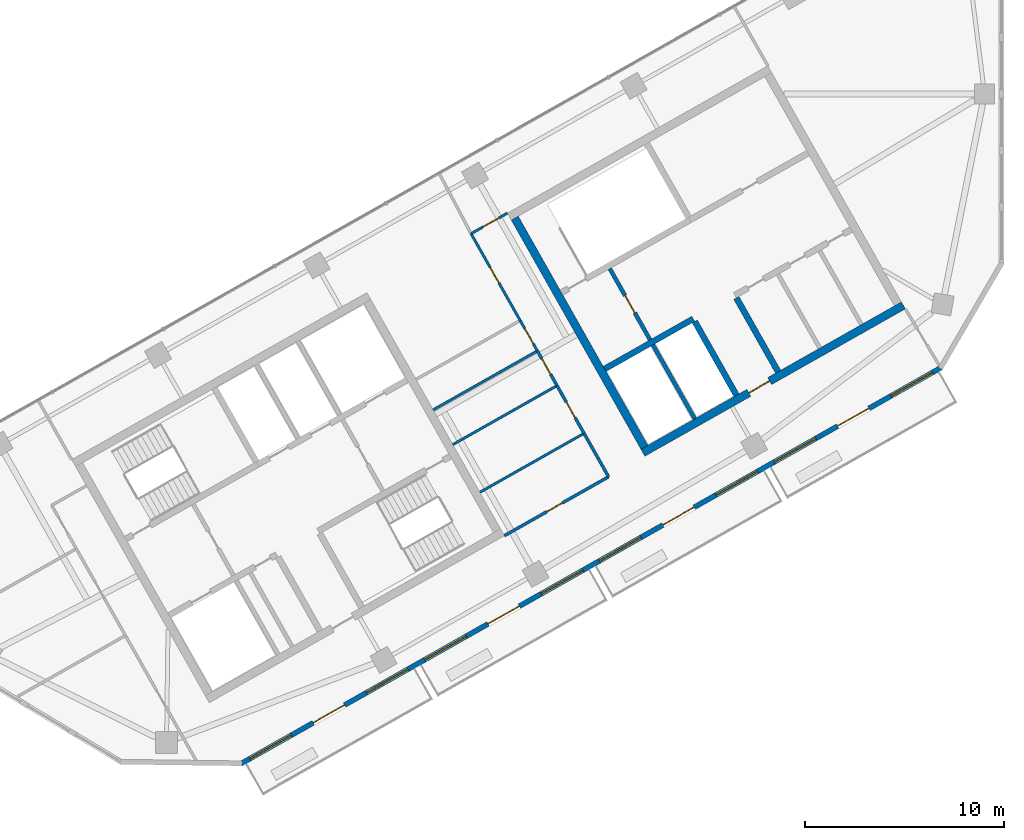
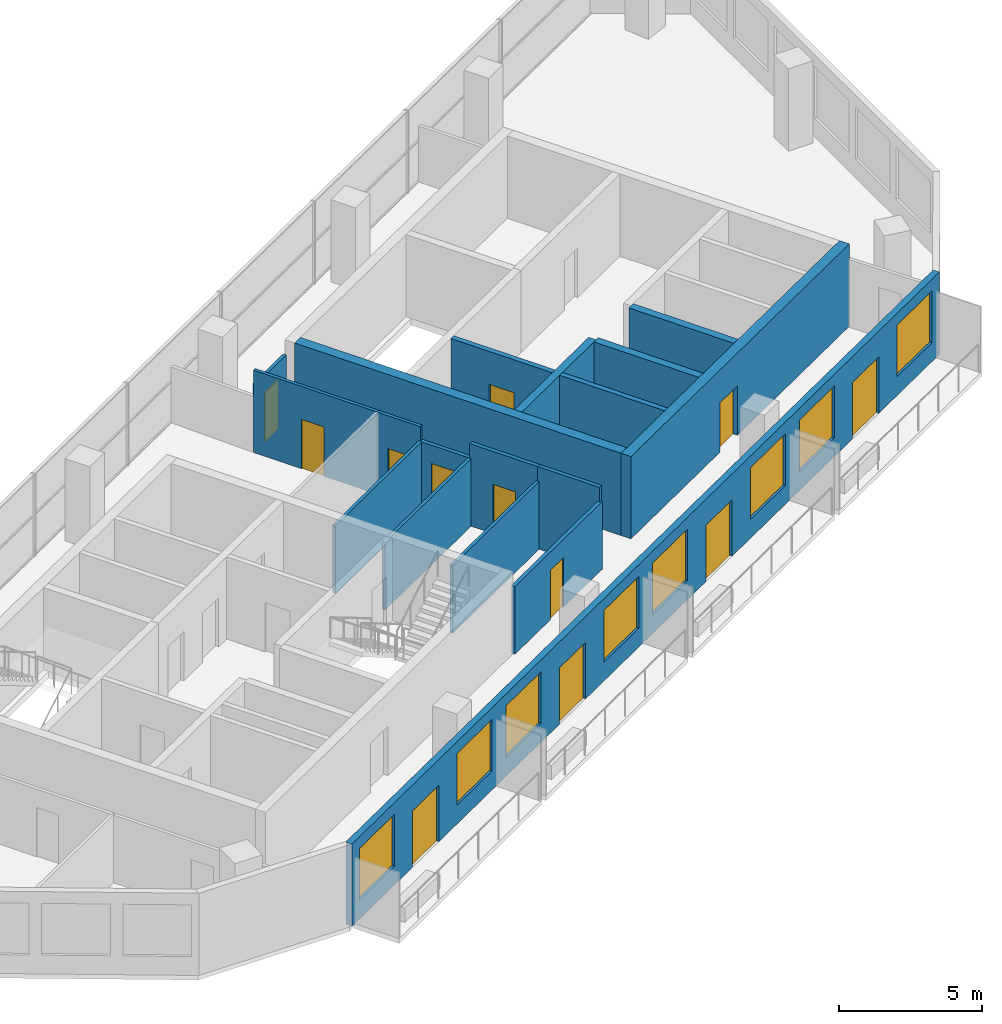
# One storey, part 7 of 10: 18 walls, 12 doors, 8 windows, 20 openings.
"""IFC4 building model written with IfcOpenShell, lengths in metres."""

from ifc_helpers import new_model, si_unit, direction, frame, frame_2d, origin, place, context, subcontext, project, spatial, rectangle, extrude, material, layer, layer_set, type_object, element, fill, save


model = new_model("IFC4")

# Units and contexts
model_context = context("Model", 3, precision=1e-05, world=origin(), true_north=direction((0.0, 1.0)))
body_context = subcontext(model_context, "Body", "Model", "MODEL_VIEW")
ifc_project = project(units=[si_unit("LENGTHUNIT", "METRE"), si_unit("AREAUNIT", "SQUARE_METRE"), si_unit("VOLUMEUNIT", "CUBIC_METRE"), si_unit("PLANEANGLEUNIT", "RADIAN"), si_unit("MASSUNIT", "GRAM", prefix="KILO")], contexts=[model_context])

# Site, building, storey
site_placement = place(None, origin())
site = spatial("IfcSite", under=ifc_project, at=site_placement, CompositionType="ELEMENT")
building_placement = place(site_placement, origin())
building = spatial("IfcBuilding", under=site, at=building_placement, Name="Binnacle Exchange Tower", CompositionType="ELEMENT")
storey_placement = place(building_placement, frame((0.0, 0.0, 343.10009765625)))
storey = spatial("IfcBuildingStorey", under=building, at=storey_placement, Name="L78", CompositionType="ELEMENT", Elevation=343.10009765625)

# Walls
ifc_material_1 = material(Name="Concrete C70/85", Category="concrete")
ifc_layer_1 = layer(ifc_material_1, 0.300048828125)
ifc_layer_set_1 = layer_set([ifc_layer_1], Name="Core wall - front 300")
wall_type_1 = type_object("IfcWallType", Name="Core wall - front 300", PredefinedType="SOLIDWALL", material=ifc_layer_set_1)
wall_1_placement = place(storey_placement, frame((-19.89208984375, 46.2177734375, 0.0), z_axis=(0.0, 0.0, 1.0), x_axis=(0.870341639186, 0.492448404505, 0.0)))
element("IfcWall", 1, at=wall_1_placement, inside=storey, type_object=wall_type_1, Name="Core wall CRWC2", PredefinedType="SOLIDWALL", context=body_context, shape_type="SweptSolid", body=[
    extrude(rectangle(XDim=5.099853515625, YDim=0.300048828125, at=frame_2d((2.5498046875, 0.0))), origin(), (0.0, 0.0, 1.0), 3.5),
])
wall_2_placement = place(storey_placement, frame((-15.37939453125, 48.5986328125, 0.0), z_axis=(0.0, 0.0, 1.0), x_axis=(0.492422543467, -0.870356271124, 0.0)))
element("IfcWall", 2, at=wall_2_placement, inside=storey, type_object=wall_type_1, Name="Core wall CRWC13", PredefinedType="SOLIDWALL", context=body_context, shape_type="SweptSolid", body=[
    extrude(rectangle(XDim=4.25, YDim=0.300048828125, at=frame_2d((2.125, 0.0))), origin(), (0.0, 0.0, 1.0), 3.5),
])
wall_3_placement = place(storey_placement, frame((-13.29052734375, 49.780517578125, 0.0), z_axis=(0.0, 0.0, 1.0), x_axis=(0.492397924348, -0.870370199454, 0.0)))
element("IfcWall", 3, at=wall_3_placement, inside=storey, type_object=wall_type_1, Name="Core wall CRWC15", PredefinedType="SOLIDWALL", context=body_context, shape_type="SweptSolid", body=[
    extrude(rectangle(XDim=4.250244140625, YDim=0.300048828125, at=frame_2d((2.125, 0.0))), origin(), (0.0, 0.0, 1.0), 3.5),
])

# Wall, opening, door
ifc_layer_2 = layer(ifc_material_1, 0.39990234375)
ifc_layer_set_2 = layer_set([ifc_layer_2], Name="Core wall - outer 400")
wall_type_2 = type_object("IfcWallType", Name="Core wall - outer 400", PredefinedType="SOLIDWALL", material=ifc_layer_set_2)
wall_4_placement = place(storey_placement, frame((-17.97509765625, 42.01708984375, 0.0), z_axis=(0.0, 0.0, 1.0), x_axis=(0.87034965173, 0.492434243055, 0.0)))
wall_4 = element("IfcWall", 4, at=wall_4_placement, inside=storey, type_object=wall_type_2, Name="Core wall CRWC1", PredefinedType="SOLIDWALL", context=body_context, shape_type="SweptSolid", body=[
    extrude(rectangle(XDim=15.0, YDim=0.39990234375, at=frame_2d((7.5, 0.0))), origin(), (0.0, 0.0, 1.0), 3.5),
])
opening_1_placement = place(wall_4_placement, frame((6.10009765625, 0.0, 0.0)))
opening_1 = element("IfcOpeningElement", 5, at=opening_1_placement, cuts=wall_4, Name="Opening DC7", PredefinedType="OPENING", context=body_context, shape_type="SweptSolid", body=[
    extrude(rectangle(XDim=1.199951171875, YDim=2.10009765625, at=frame_2d((0.60009765625, 1.050048828125))), frame((0.0, 0.2099609375, 0.0), z_axis=(0.0, -1.0, 0.0), x_axis=(1.0, 0.0, 0.0)), (0.0, 0.0, 1.0), 0.419921875),
])
ifc_material_2 = material(Name="Steel door leaf", Category="steel")
door_type_1 = type_object("IfcDoorType", Name="Fire door 1200", OperationType="NOTDEFINED", PredefinedType="DOOR", material=ifc_material_2)
door_1_placement = place(opening_1_placement, frame((1.199951171875, 0.0, 0.0), z_axis=(0.0, 0.0, 1.0), x_axis=(-1.0, 0.0, 0.0)))
door_1 = element("IfcDoor", 6, at=door_1_placement, inside=storey, type_object=door_type_1, Name="Lift lobby entrance door core C", OperationType="SINGLE_SWING_RIGHT", OverallHeight=2.10009765625, OverallWidth=1.199951171875, PredefinedType="DOOR", context=body_context, shape_type="SweptSolid", body=[
    extrude(rectangle(XDim=1.199951171875, YDim=2.10009765625, at=frame_2d((0.60009765625, 1.050048828125))), frame((0.0, 0.02490234375, 0.0), z_axis=(0.0, -1.0, 0.0), x_axis=(1.0, 0.0, 0.0)), (0.0, 0.0, 1.0), 0.050048828125),
])
fill(opening_1, door_1)

# Wall
wall_5_placement = place(storey_placement, frame((-24.399658203125, 53.778564453125, 0.0), z_axis=(0.0, 0.0, 1.0), x_axis=(0.492421663121, -0.870356769198, 0.0)))
element("IfcWall", 7, at=wall_5_placement, inside=storey, type_object=wall_type_2, Name="Core wall CRWC7", PredefinedType="SOLIDWALL", context=body_context, shape_type="SweptSolid", body=[
    extrude(rectangle(XDim=13.199951171875, YDim=0.39990234375, at=frame_2d((6.60009765625, 0.0))), origin(), (0.0, 0.0, 1.0), 3.5),
])

# Wall, openings, doors, windows
ifc_material_3 = material(Name="Bronze aluminium cladding", Category="aluminium")
ifc_layer_3 = layer(ifc_material_3, 0.25)
ifc_layer_set_3 = layer_set([ifc_layer_3], Name="External wall - window wall 250")
wall_type_3 = type_object("IfcWallType", Name="External wall - window wall 250", PredefinedType="STANDARD", material=ifc_layer_set_3)
wall_6_placement = place(storey_placement, frame((-3.016845703125, 46.293212890625, 0.0), z_axis=(0.0, 0.0, 1.0), x_axis=(-0.870355474887, -0.492423950812, 0.0)))
wall_6 = element("IfcWall", 8, at=wall_6_placement, inside=storey, type_object=wall_type_3, Name="External wall EW-H07 L78", PredefinedType="STANDARD", context=body_context, shape_type="SweptSolid", body=[
    extrude(rectangle(XDim=40.34033203125, YDim=0.25, at=frame_2d((20.170166015625, 0.0))), origin(), (0.0, 0.0, 1.0), 3.5),
])
opening_2_placement = place(wall_6_placement, frame((37.428466796875, 0.0, 0.800048828125)))
opening_2 = element("IfcOpeningElement", 9, at=opening_2_placement, cuts=wall_6, Name="Opening WR2", PredefinedType="OPENING", context=body_context, shape_type="SweptSolid", body=[
    extrude(rectangle(XDim=2.39990234375, YDim=2.199951171875, at=frame_2d((1.199951171875, 1.10009765625))), frame((0.0, 0.135009765625, 0.0), z_axis=(0.0, -1.0, 0.0), x_axis=(1.0, 0.0, 0.0)), (0.0, 0.0, 1.0), 0.27001953125),
])
opening_3_placement = place(wall_6_placement, frame((34.372314453125, 0.0, 0.0)))
opening_3 = element("IfcOpeningElement", 10, at=opening_3_placement, cuts=wall_6, Name="Opening D-FS22-01", PredefinedType="OPENING", context=body_context, shape_type="SweptSolid", body=[
    extrude(rectangle(XDim=1.800048828125, YDim=2.39990234375, at=frame_2d((0.89990234375, 1.199951171875))), frame((0.0, 0.135009765625, 0.0), z_axis=(0.0, -1.0, 0.0), x_axis=(1.0, 0.0, 0.0)), (0.0, 0.0, 1.0), 0.27001953125),
])
opening_4_placement = place(wall_6_placement, frame((30.71630859375, 0.0, 0.800048828125)))
opening_4 = element("IfcOpeningElement", 11, at=opening_4_placement, cuts=wall_6, Name="Opening WR2", PredefinedType="OPENING", context=body_context, shape_type="SweptSolid", body=[
    extrude(rectangle(XDim=2.39990234375, YDim=2.199951171875, at=frame_2d((1.199951171875, 1.10009765625))), frame((0.0, 0.135009765625, 0.0), z_axis=(0.0, -1.0, 0.0), x_axis=(1.0, 0.0, 0.0)), (0.0, 0.0, 1.0), 0.27001953125),
])
opening_5_placement = place(wall_6_placement, frame((27.3603515625, 0.0, 0.800048828125)))
opening_5 = element("IfcOpeningElement", 12, at=opening_5_placement, cuts=wall_6, Name="Opening WR2", PredefinedType="OPENING", context=body_context, shape_type="SweptSolid", body=[
    extrude(rectangle(XDim=2.39990234375, YDim=2.199951171875, at=frame_2d((1.199951171875, 1.10009765625))), frame((0.0, 0.135009765625, 0.0), z_axis=(0.0, -1.0, 0.0), x_axis=(1.0, 0.0, 0.0)), (0.0, 0.0, 1.0), 0.27001953125),
])
opening_6_placement = place(wall_6_placement, frame((24.30419921875, 0.0, 0.0)))
opening_6 = element("IfcOpeningElement", 13, at=opening_6_placement, cuts=wall_6, Name="Opening D-FS22-02", PredefinedType="OPENING", context=body_context, shape_type="SweptSolid", body=[
    extrude(rectangle(XDim=1.800048828125, YDim=2.39990234375, at=frame_2d((0.89990234375, 1.199951171875))), frame((0.0, 0.135009765625, 0.0), z_axis=(0.0, -1.0, 0.0), x_axis=(1.0, 0.0, 0.0)), (0.0, 0.0, 1.0), 0.27001953125),
])
opening_7_placement = place(wall_6_placement, frame((20.648193359375, 0.0, 0.800048828125)))
opening_7 = element("IfcOpeningElement", 14, at=opening_7_placement, cuts=wall_6, Name="Opening WR2", PredefinedType="OPENING", context=body_context, shape_type="SweptSolid", body=[
    extrude(rectangle(XDim=2.39990234375, YDim=2.199951171875, at=frame_2d((1.199951171875, 1.10009765625))), frame((0.0, 0.135009765625, 0.0), z_axis=(0.0, -1.0, 0.0), x_axis=(1.0, 0.0, 0.0)), (0.0, 0.0, 1.0), 0.27001953125),
])
opening_8_placement = place(wall_6_placement, frame((17.2919921875, 0.0, 0.800048828125)))
opening_8 = element("IfcOpeningElement", 15, at=opening_8_placement, cuts=wall_6, Name="Opening WR2", PredefinedType="OPENING", context=body_context, shape_type="SweptSolid", body=[
    extrude(rectangle(XDim=2.39990234375, YDim=2.199951171875, at=frame_2d((1.199951171875, 1.10009765625))), frame((0.0, 0.135009765625, 0.0), z_axis=(0.0, -1.0, 0.0), x_axis=(1.0, 0.0, 0.0)), (0.0, 0.0, 1.0), 0.27001953125),
])
opening_9_placement = place(wall_6_placement, frame((14.236083984375, 0.0, 0.0)))
opening_9 = element("IfcOpeningElement", 16, at=opening_9_placement, cuts=wall_6, Name="Opening D-FS22-03", PredefinedType="OPENING", context=body_context, shape_type="SweptSolid", body=[
    extrude(rectangle(XDim=1.800048828125, YDim=2.39990234375, at=frame_2d((0.89990234375, 1.199951171875))), frame((0.0, 0.135009765625, 0.0), z_axis=(0.0, -1.0, 0.0), x_axis=(1.0, 0.0, 0.0)), (0.0, 0.0, 1.0), 0.27001953125),
])
opening_10_placement = place(wall_6_placement, frame((10.580078125, 0.0, 0.800048828125)))
opening_10 = element("IfcOpeningElement", 17, at=opening_10_placement, cuts=wall_6, Name="Opening WR2", PredefinedType="OPENING", context=body_context, shape_type="SweptSolid", body=[
    extrude(rectangle(XDim=2.39990234375, YDim=2.199951171875, at=frame_2d((1.199951171875, 1.10009765625))), frame((0.0, 0.135009765625, 0.0), z_axis=(0.0, -1.0, 0.0), x_axis=(1.0, 0.0, 0.0)), (0.0, 0.0, 1.0), 0.27001953125),
])
opening_11_placement = place(wall_6_placement, frame((7.223876953125, 0.0, 0.800048828125)))
opening_11 = element("IfcOpeningElement", 18, at=opening_11_placement, cuts=wall_6, Name="Opening WR2", PredefinedType="OPENING", context=body_context, shape_type="SweptSolid", body=[
    extrude(rectangle(XDim=2.39990234375, YDim=2.199951171875, at=frame_2d((1.199951171875, 1.10009765625))), frame((0.0, 0.135009765625, 0.0), z_axis=(0.0, -1.0, 0.0), x_axis=(1.0, 0.0, 0.0)), (0.0, 0.0, 1.0), 0.27001953125),
])
opening_12_placement = place(wall_6_placement, frame((4.16796875, 0.0, 0.0)))
opening_12 = element("IfcOpeningElement", 19, at=opening_12_placement, cuts=wall_6, Name="Opening D-FS22-04", PredefinedType="OPENING", context=body_context, shape_type="SweptSolid", body=[
    extrude(rectangle(XDim=1.800048828125, YDim=2.39990234375, at=frame_2d((0.89990234375, 1.199951171875))), frame((0.0, 0.135009765625, 0.0), z_axis=(0.0, -1.0, 0.0), x_axis=(1.0, 0.0, 0.0)), (0.0, 0.0, 1.0), 0.27001953125),
])
opening_13_placement = place(wall_6_placement, frame((0.51171875, 0.0, 0.800048828125)))
opening_13 = element("IfcOpeningElement", 20, at=opening_13_placement, cuts=wall_6, Name="Opening WR2", PredefinedType="OPENING", context=body_context, shape_type="SweptSolid", body=[
    extrude(rectangle(XDim=2.39990234375, YDim=2.199951171875, at=frame_2d((1.199951171875, 1.10009765625))), frame((0.0, 0.135009765625, 0.0), z_axis=(0.0, -1.0, 0.0), x_axis=(1.0, 0.0, 0.0)), (0.0, 0.0, 1.0), 0.27001953125),
])
ifc_material_4 = material(Name="Bronze anodised aluminium frame", Category="aluminium")
door_type_2 = type_object("IfcDoorType", Name="DB DOOR 1800x2400", OperationType="DOUBLE_DOOR_SINGLE_SWING", PredefinedType="DOOR", material=ifc_material_4)
door_2_placement = place(opening_3_placement, origin())
door_2 = element("IfcDoor", 21, at=door_2_placement, inside=storey, type_object=door_type_2, Name="Door D-FS22-01 L78", OperationType="DOUBLE_DOOR_SINGLE_SWING", OverallHeight=2.39990234375, OverallWidth=1.800048828125, PredefinedType="DOOR", context=body_context, shape_type="SweptSolid", body=[
    extrude(rectangle(XDim=1.800048828125, YDim=2.39990234375, at=frame_2d((0.89990234375, 1.199951171875))), frame((0.0, 0.02490234375, 0.0), z_axis=(0.0, -1.0, 0.0), x_axis=(1.0, 0.0, 0.0)), (0.0, 0.0, 1.0), 0.050048828125),
])
fill(opening_3, door_2)
door_3_placement = place(opening_6_placement, origin())
door_3 = element("IfcDoor", 22, at=door_3_placement, inside=storey, type_object=door_type_2, Name="Door D-FS22-02 L78", OperationType="DOUBLE_DOOR_SINGLE_SWING", OverallHeight=2.39990234375, OverallWidth=1.800048828125, PredefinedType="DOOR", context=body_context, shape_type="SweptSolid", body=[
    extrude(rectangle(XDim=1.800048828125, YDim=2.39990234375, at=frame_2d((0.89990234375, 1.199951171875))), frame((0.0, 0.02490234375, 0.0), z_axis=(0.0, -1.0, 0.0), x_axis=(1.0, 0.0, 0.0)), (0.0, 0.0, 1.0), 0.050048828125),
])
fill(opening_6, door_3)
door_4_placement = place(opening_9_placement, origin())
door_4 = element("IfcDoor", 23, at=door_4_placement, inside=storey, type_object=door_type_2, Name="Door D-FS22-03 L78", OperationType="DOUBLE_DOOR_SINGLE_SWING", OverallHeight=2.39990234375, OverallWidth=1.800048828125, PredefinedType="DOOR", context=body_context, shape_type="SweptSolid", body=[
    extrude(rectangle(XDim=1.800048828125, YDim=2.39990234375, at=frame_2d((0.89990234375, 1.199951171875))), frame((0.0, 0.02490234375, 0.0), z_axis=(0.0, -1.0, 0.0), x_axis=(1.0, 0.0, 0.0)), (0.0, 0.0, 1.0), 0.050048828125),
])
fill(opening_9, door_4)
door_5_placement = place(opening_12_placement, origin())
door_5 = element("IfcDoor", 24, at=door_5_placement, inside=storey, type_object=door_type_2, Name="Door D-FS22-04 L78", OperationType="DOUBLE_DOOR_SINGLE_SWING", OverallHeight=2.39990234375, OverallWidth=1.800048828125, PredefinedType="DOOR", context=body_context, shape_type="SweptSolid", body=[
    extrude(rectangle(XDim=1.800048828125, YDim=2.39990234375, at=frame_2d((0.89990234375, 1.199951171875))), frame((0.0, 0.02490234375, 0.0), z_axis=(0.0, -1.0, 0.0), x_axis=(1.0, 0.0, 0.0)), (0.0, 0.0, 1.0), 0.050048828125),
])
fill(opening_12, door_5)
window_type = type_object("IfcWindowType", Name="WR2 WINDOW 2400x2200", PartitioningType="SINGLE_PANEL", PredefinedType="WINDOW", material=ifc_material_4)
window_1_placement = place(opening_2_placement, origin())
window_1 = element("IfcWindow", 25, at=window_1_placement, inside=storey, type_object=window_type, Name="Window WR2 L78", OverallHeight=2.199951171875, OverallWidth=2.39990234375, PartitioningType="SINGLE_PANEL", PredefinedType="WINDOW", context=body_context, shape_type="SweptSolid", body=[
    extrude(rectangle(XDim=2.39990234375, YDim=2.199951171875, at=frame_2d((1.199951171875, 1.10009765625))), frame((0.0, 0.030029296875, 0.0), z_axis=(0.0, -1.0, 0.0), x_axis=(1.0, 0.0, 0.0)), (0.0, 0.0, 1.0), 0.06005859375),
])
fill(opening_2, window_1)
window_2_placement = place(opening_4_placement, origin())
window_2 = element("IfcWindow", 26, at=window_2_placement, inside=storey, type_object=window_type, Name="Window WR2 L78", OverallHeight=2.199951171875, OverallWidth=2.39990234375, PartitioningType="SINGLE_PANEL", PredefinedType="WINDOW", context=body_context, shape_type="SweptSolid", body=[
    extrude(rectangle(XDim=2.39990234375, YDim=2.199951171875, at=frame_2d((1.199951171875, 1.10009765625))), frame((0.0, 0.030029296875, 0.0), z_axis=(0.0, -1.0, 0.0), x_axis=(1.0, 0.0, 0.0)), (0.0, 0.0, 1.0), 0.06005859375),
])
fill(opening_4, window_2)
window_3_placement = place(opening_5_placement, origin())
window_3 = element("IfcWindow", 27, at=window_3_placement, inside=storey, type_object=window_type, Name="Window WR2 L78", OverallHeight=2.199951171875, OverallWidth=2.39990234375, PartitioningType="SINGLE_PANEL", PredefinedType="WINDOW", context=body_context, shape_type="SweptSolid", body=[
    extrude(rectangle(XDim=2.39990234375, YDim=2.199951171875, at=frame_2d((1.199951171875, 1.10009765625))), frame((0.0, 0.030029296875, 0.0), z_axis=(0.0, -1.0, 0.0), x_axis=(1.0, 0.0, 0.0)), (0.0, 0.0, 1.0), 0.06005859375),
])
fill(opening_5, window_3)
window_4_placement = place(opening_7_placement, origin())
window_4 = element("IfcWindow", 28, at=window_4_placement, inside=storey, type_object=window_type, Name="Window WR2 L78", OverallHeight=2.199951171875, OverallWidth=2.39990234375, PartitioningType="SINGLE_PANEL", PredefinedType="WINDOW", context=body_context, shape_type="SweptSolid", body=[
    extrude(rectangle(XDim=2.39990234375, YDim=2.199951171875, at=frame_2d((1.199951171875, 1.10009765625))), frame((0.0, 0.030029296875, 0.0), z_axis=(0.0, -1.0, 0.0), x_axis=(1.0, 0.0, 0.0)), (0.0, 0.0, 1.0), 0.06005859375),
])
fill(opening_7, window_4)
window_5_placement = place(opening_8_placement, origin())
window_5 = element("IfcWindow", 29, at=window_5_placement, inside=storey, type_object=window_type, Name="Window WR2 L78", OverallHeight=2.199951171875, OverallWidth=2.39990234375, PartitioningType="SINGLE_PANEL", PredefinedType="WINDOW", context=body_context, shape_type="SweptSolid", body=[
    extrude(rectangle(XDim=2.39990234375, YDim=2.199951171875, at=frame_2d((1.199951171875, 1.10009765625))), frame((0.0, 0.030029296875, 0.0), z_axis=(0.0, -1.0, 0.0), x_axis=(1.0, 0.0, 0.0)), (0.0, 0.0, 1.0), 0.06005859375),
])
fill(opening_8, window_5)
window_6_placement = place(opening_10_placement, origin())
window_6 = element("IfcWindow", 30, at=window_6_placement, inside=storey, type_object=window_type, Name="Window WR2 L78", OverallHeight=2.199951171875, OverallWidth=2.39990234375, PartitioningType="SINGLE_PANEL", PredefinedType="WINDOW", context=body_context, shape_type="SweptSolid", body=[
    extrude(rectangle(XDim=2.39990234375, YDim=2.199951171875, at=frame_2d((1.199951171875, 1.10009765625))), frame((0.0, 0.030029296875, 0.0), z_axis=(0.0, -1.0, 0.0), x_axis=(1.0, 0.0, 0.0)), (0.0, 0.0, 1.0), 0.06005859375),
])
fill(opening_10, window_6)
window_7_placement = place(opening_11_placement, origin())
window_7 = element("IfcWindow", 31, at=window_7_placement, inside=storey, type_object=window_type, Name="Window WR2 L78", OverallHeight=2.199951171875, OverallWidth=2.39990234375, PartitioningType="SINGLE_PANEL", PredefinedType="WINDOW", context=body_context, shape_type="SweptSolid", body=[
    extrude(rectangle(XDim=2.39990234375, YDim=2.199951171875, at=frame_2d((1.199951171875, 1.10009765625))), frame((0.0, 0.030029296875, 0.0), z_axis=(0.0, -1.0, 0.0), x_axis=(1.0, 0.0, 0.0)), (0.0, 0.0, 1.0), 0.06005859375),
])
fill(opening_11, window_7)
window_8_placement = place(opening_13_placement, origin())
window_8 = element("IfcWindow", 32, at=window_8_placement, inside=storey, type_object=window_type, Name="Window WR2 L78", OverallHeight=2.199951171875, OverallWidth=2.39990234375, PartitioningType="SINGLE_PANEL", PredefinedType="WINDOW", context=body_context, shape_type="SweptSolid", body=[
    extrude(rectangle(XDim=2.39990234375, YDim=2.199951171875, at=frame_2d((1.199951171875, 1.10009765625))), frame((0.0, 0.030029296875, 0.0), z_axis=(0.0, -1.0, 0.0), x_axis=(1.0, 0.0, 0.0)), (0.0, 0.0, 1.0), 0.06005859375),
])
fill(opening_13, window_8)

# Wall, opening, door
ifc_material_5 = material(Name="Masonry block wall", Category="masonry")
ifc_layer_4 = layer(ifc_material_5, 0.199951171875)
ifc_layer_set_4 = layer_set([ifc_layer_4], Name="Fire wall - vestibule 200")
wall_type_4 = type_object("IfcWallType", Name="Fire wall - vestibule 200", PredefinedType="PARTITIONING", material=ifc_layer_set_4)
wall_7_placement = place(storey_placement, frame((-19.635009765625, 51.246337890625, 0.0), z_axis=(0.0, 0.0, 1.0), x_axis=(0.492408451753, -0.87036424366, 0.0)))
wall_7 = element("IfcWall", 33, at=wall_7_placement, inside=storey, type_object=wall_type_4, Name="Core wall CRWC10", PredefinedType="PARTITIONING", context=body_context, shape_type="SweptSolid", body=[
    extrude(rectangle(XDim=4.099853515625, YDim=0.199951171875, at=frame_2d((2.0498046875, 0.0))), origin(), (0.0, 0.0, 1.0), 3.5),
])
opening_14_placement = place(wall_7_placement, frame((1.550048828125, 0.0, 0.0)))
opening_14 = element("IfcOpeningElement", 34, at=opening_14_placement, cuts=wall_7, Name="Opening DC3", PredefinedType="OPENING", context=body_context, shape_type="SweptSolid", body=[
    extrude(rectangle(XDim=1.0, YDim=2.10009765625, at=frame_2d((0.5, 1.050048828125))), frame((0.0, 0.10986328125, 0.0), z_axis=(0.0, -1.0, 0.0), x_axis=(1.0, 0.0, 0.0)), (0.0, 0.0, 1.0), 0.219970703125),
])
door_type_3 = type_object("IfcDoorType", Name="Fire door 1000", OperationType="NOTDEFINED", PredefinedType="DOOR", material=ifc_material_2)
door_6_placement = place(opening_14_placement, frame((1.0, 0.0, 0.0), z_axis=(0.0, 0.0, 1.0), x_axis=(-1.0, 0.0, 0.0)))
door_6 = element("IfcDoor", 35, at=door_6_placement, inside=storey, type_object=door_type_3, Name="Vestibule door VEST-W", OperationType="SINGLE_SWING_RIGHT", OverallHeight=2.10009765625, OverallWidth=1.0, PredefinedType="DOOR", context=body_context, shape_type="SweptSolid", body=[
    extrude(rectangle(XDim=1.0, YDim=2.10009765625, at=frame_2d((0.5, 1.050048828125))), frame((0.0, 0.02490234375, 0.0), z_axis=(0.0, -1.0, 0.0), x_axis=(1.0, 0.0, 0.0)), (0.0, 0.0, 1.0), 0.050048828125),
])
fill(opening_14, door_6)

ifc_material_6 = material(Name="Gypsum partition fire rated")
ifc_layer_5 = layer(ifc_material_6, 0.14990234375)
ifc_layer_set_5 = layer_set([ifc_layer_5], Name="Fire-rated partition 150")
wall_type_5 = type_object("IfcWallType", Name="Fire-rated partition 150", PredefinedType="PARTITIONING", material=ifc_layer_set_5)
wall_8_placement = place(storey_placement, frame((-24.9189453125, 37.85888671875, 0.0), z_axis=(0.0, 0.0, 1.0), x_axis=(0.870308850352, 0.492506350211, 0.0)))
wall_8 = element("IfcWall", 36, at=wall_8_placement, inside=storey, type_object=wall_type_5, Name="Partition W15", PredefinedType="PARTITIONING", context=body_context, shape_type="SweptSolid", body=[
    extrude(rectangle(XDim=6.0, YDim=0.14990234375, at=frame_2d((3.0, 0.0))), origin(), (0.0, 0.0, 1.0), 2.8798828125),
])
opening_15_placement = place(wall_8_placement, frame((2.449951171875, 0.0, 0.0)))
opening_15 = element("IfcOpeningElement", 37, at=opening_15_placement, cuts=wall_8, Name="Opening DL77-01", PredefinedType="OPENING", context=body_context, shape_type="SweptSolid", body=[
    extrude(rectangle(XDim=0.89990234375, YDim=2.10009765625, at=frame_2d((0.449951171875, 1.050048828125))), frame((0.0, 0.0849609375, 0.0), z_axis=(0.0, -1.0, 0.0), x_axis=(1.0, 0.0, 0.0)), (0.0, 0.0, 1.0), 0.169921875),
])
door_type_4 = type_object("IfcDoorType", Name="Fire door 900", OperationType="NOTDEFINED", PredefinedType="DOOR", material=ifc_material_2)
door_7_placement = place(opening_15_placement, origin())
door_7 = element("IfcDoor", 38, at=door_7_placement, inside=storey, type_object=door_type_4, Name="Door DL77-01", OperationType="SINGLE_SWING_LEFT", OverallHeight=2.10009765625, OverallWidth=0.89990234375, PredefinedType="DOOR", context=body_context, shape_type="SweptSolid", body=[
    extrude(rectangle(XDim=0.89990234375, YDim=2.10009765625, at=frame_2d((0.449951171875, 1.050048828125))), frame((0.0, 0.02490234375, 0.0), z_axis=(0.0, -1.0, 0.0), x_axis=(1.0, 0.0, 0.0)), (0.0, 0.0, 1.0), 0.050048828125),
])
fill(opening_15, door_7)

wall_9_placement = place(storey_placement, frame((-23.26708984375, 47.1240234375, 0.0), z_axis=(0.0, 0.0, 1.0), x_axis=(0.492467412326, -0.870330884088, 0.0)))
wall_9 = element("IfcWall", 39, at=wall_9_placement, inside=storey, type_object=wall_type_5, Name="Partition W17", PredefinedType="PARTITIONING", context=body_context, shape_type="SweptSolid", body=[
    extrude(rectangle(XDim=2.000244140625, YDim=0.14990234375, at=frame_2d((1.0, 0.0))), origin(), (0.0, 0.0, 1.0), 2.8798828125),
])
opening_16_placement = place(wall_9_placement, frame((0.449951171875, 0.0, 0.0)))
opening_16 = element("IfcOpeningElement", 40, at=opening_16_placement, cuts=wall_9, Name="Opening DL77-03", PredefinedType="OPENING", context=body_context, shape_type="SweptSolid", body=[
    extrude(rectangle(XDim=0.89990234375, YDim=2.10009765625, at=frame_2d((0.449951171875, 1.050048828125))), frame((0.0, 0.0849609375, 0.0), z_axis=(0.0, -1.0, 0.0), x_axis=(1.0, 0.0, 0.0)), (0.0, 0.0, 1.0), 0.169921875),
])
door_8_placement = place(opening_16_placement, frame((0.89990234375, 0.0, 0.0), z_axis=(0.0, 0.0, 1.0), x_axis=(-1.0, 0.0, 0.0)))
door_8 = element("IfcDoor", 41, at=door_8_placement, inside=storey, type_object=door_type_4, Name="Door DL77-03", OperationType="SINGLE_SWING_RIGHT", OverallHeight=2.10009765625, OverallWidth=0.89990234375, PredefinedType="DOOR", context=body_context, shape_type="SweptSolid", body=[
    extrude(rectangle(XDim=0.89990234375, YDim=2.10009765625, at=frame_2d((0.449951171875, 1.050048828125))), frame((0.0, 0.02490234375, 0.0), z_axis=(0.0, -1.0, 0.0), x_axis=(1.0, 0.0, 0.0)), (0.0, 0.0, 1.0), 0.050048828125),
])
fill(opening_16, door_8)

wall_10_placement = place(storey_placement, frame((-22.281982421875, 45.383056640625, 0.0), z_axis=(0.0, 0.0, 1.0), x_axis=(0.492560173591, -0.870278389592, 0.0)))
wall_10 = element("IfcWall", 42, at=wall_10_placement, inside=storey, type_object=wall_type_5, Name="Partition W18", PredefinedType="PARTITIONING", context=body_context, shape_type="SweptSolid", body=[
    extrude(rectangle(XDim=2.7509765625, YDim=0.14990234375, at=frame_2d((1.37548828125, 0.0))), origin(), (0.0, 0.0, 1.0), 3.5),
])
opening_17_placement = place(wall_10_placement, frame((0.949951171875, 0.0, 0.0)))
opening_17 = element("IfcOpeningElement", 43, at=opening_17_placement, cuts=wall_10, Name="Opening DL77-02", PredefinedType="OPENING", context=body_context, shape_type="SweptSolid", body=[
    extrude(rectangle(XDim=0.89990234375, YDim=2.10009765625, at=frame_2d((0.449951171875, 1.050048828125))), frame((0.0, 0.0849609375, 0.0), z_axis=(0.0, -1.0, 0.0), x_axis=(1.0, 0.0, 0.0)), (0.0, 0.0, 1.0), 0.169921875),
])
door_9_placement = place(opening_17_placement, frame((0.89990234375, 0.0, 0.0), z_axis=(0.0, 0.0, 1.0), x_axis=(-1.0, 0.0, 0.0)))
door_9 = element("IfcDoor", 44, at=door_9_placement, inside=storey, type_object=door_type_4, Name="Door DL77-02", OperationType="SINGLE_SWING_LEFT", OverallHeight=2.10009765625, OverallWidth=0.89990234375, PredefinedType="DOOR", context=body_context, shape_type="SweptSolid", body=[
    extrude(rectangle(XDim=0.89990234375, YDim=2.10009765625, at=frame_2d((0.449951171875, 1.050048828125))), frame((0.0, 0.02490234375, 0.0), z_axis=(0.0, -1.0, 0.0), x_axis=(1.0, 0.0, 0.0)), (0.0, 0.0, 1.0), 0.050048828125),
])
fill(opening_17, door_9)

# Walls
wall_11_placement = place(storey_placement, frame((-20.927001953125, 42.989013671875, 0.0), z_axis=(0.0, 0.0, 1.0), x_axis=(0.492240758669, -0.870459094677, 0.0)))
element("IfcWall", 45, at=wall_11_placement, inside=storey, type_object=wall_type_5, Name="Partition W19", PredefinedType="PARTITIONING", context=body_context, shape_type="SweptSolid", body=[
    extrude(rectangle(XDim=2.498779296875, YDim=0.14990234375, at=frame_2d((1.24951171875, 0.0))), origin(), (0.0, 0.0, 1.0), 3.5),
])
ifc_material_7 = material(Name="Gypsum partition")
ifc_layer_6 = layer(ifc_material_7, 0.125)
ifc_layer_set_6 = layer_set([ifc_layer_6], Name="Partition 125")
wall_type_6 = type_object("IfcWallType", Name="Partition 125", PredefinedType="PARTITIONING", material=ifc_layer_set_6)
for number, where, z_axis, x_axis, name in (
    (46, (-28.489013671875, 44.1689453125, 0.0), (0.0, 0.0, 1.0), (0.870308850352, 0.492506350211, 0.0), "Partition W09"),
    (47, (-27.50390625, 42.427978515625, 0.0), (0.0, 0.0, 1.0), (0.870308850352, 0.492506350211, 0.0), "Partition W11"),
):
    element("IfcWall", number, at=place(storey_placement, frame(where, z_axis=z_axis, x_axis=x_axis)), inside=storey, type_object=wall_type_6, Name=name, PredefinedType="PARTITIONING", context=body_context, shape_type="SweptSolid", body=[
        extrude(rectangle(XDim=6.0, YDim=0.125, at=frame_2d((3.0, 0.0))), origin(), (0.0, 0.0, 1.0), 2.8798828125),
    ])

# Wall, opening, door
wall_12_placement = place(storey_placement, frame((-26.590087890625, 52.9990234375, 0.0), z_axis=(0.0, 0.0, 1.0), x_axis=(0.870384380082, 0.492372857609, 0.0)))
wall_12 = element("IfcWall", 48, at=wall_12_placement, inside=storey, type_object=wall_type_6, Name="Partition W12", PredefinedType="PARTITIONING", context=body_context, shape_type="SweptSolid", body=[
    extrude(rectangle(XDim=2.090087890625, YDim=0.125, at=frame_2d((1.044921875, 0.0))), origin(), (0.0, 0.0, 1.0), 2.8798828125),
])
opening_18_placement = place(wall_12_placement, frame((0.699951171875, 0.0, 0.0)))
opening_18 = element("IfcOpeningElement", 49, at=opening_18_placement, cuts=wall_12, Name="Opening DL77-09", PredefinedType="OPENING", context=body_context, shape_type="SweptSolid", body=[
    extrude(rectangle(XDim=0.89990234375, YDim=2.10009765625, at=frame_2d((0.449951171875, 1.050048828125))), frame((0.0, 0.072509765625, 0.0), z_axis=(0.0, -1.0, 0.0), x_axis=(1.0, 0.0, 0.0)), (0.0, 0.0, 1.0), 0.14501953125),
])
ifc_material_8 = material(Name="Timber door leaf", Category="wood")
door_type_5 = type_object("IfcDoorType", Name="Door 900", OperationType="NOTDEFINED", PredefinedType="DOOR", material=ifc_material_8)
door_10_placement = place(opening_18_placement, origin())
door_10 = element("IfcDoor", 50, at=door_10_placement, inside=storey, type_object=door_type_5, Name="Door DL77-09", OperationType="SINGLE_SWING_RIGHT", OverallHeight=2.10009765625, OverallWidth=0.89990234375, PredefinedType="DOOR", context=body_context, shape_type="SweptSolid", body=[
    extrude(rectangle(XDim=0.89990234375, YDim=2.10009765625, at=frame_2d((0.449951171875, 1.050048828125))), frame((0.0, 0.02490234375, 0.0), z_axis=(0.0, -1.0, 0.0), x_axis=(1.0, 0.0, 0.0)), (0.0, 0.0, 1.0), 0.050048828125),
])
fill(opening_18, door_10)

wall_13_placement = place(storey_placement, frame((-26.590087890625, 52.9990234375, 0.0), z_axis=(0.0, 0.0, 1.0), x_axis=(0.492406341242, -0.870365437678, 0.0)))
wall_13 = element("IfcWall", 51, at=wall_13_placement, inside=storey, type_object=wall_type_6, Name="Partition W13", PredefinedType="PARTITIONING", context=body_context, shape_type="SweptSolid", body=[
    extrude(rectangle(XDim=5.000244140625, YDim=0.125, at=frame_2d((2.5, 0.0))), origin(), (0.0, 0.0, 1.0), 3.5),
])
opening_19_placement = place(wall_13_placement, frame((1.949951171875, 0.0, 0.0)))
opening_19 = element("IfcOpeningElement", 52, at=opening_19_placement, cuts=wall_13, Name="Opening DL77-08", PredefinedType="OPENING", context=body_context, shape_type="SweptSolid", body=[
    extrude(rectangle(XDim=0.89990234375, YDim=2.10009765625, at=frame_2d((0.449951171875, 1.050048828125))), frame((0.0, 0.072509765625, 0.0), z_axis=(0.0, -1.0, 0.0), x_axis=(1.0, 0.0, 0.0)), (0.0, 0.0, 1.0), 0.14501953125),
])
door_11_placement = place(opening_19_placement, frame((0.89990234375, 0.0, 0.0), z_axis=(0.0, 0.0, 1.0), x_axis=(-1.0, 0.0, 0.0)))
door_11 = element("IfcDoor", 53, at=door_11_placement, inside=storey, type_object=door_type_5, Name="Door DL77-08", OperationType="SINGLE_SWING_RIGHT", OverallHeight=2.10009765625, OverallWidth=0.89990234375, PredefinedType="DOOR", context=body_context, shape_type="SweptSolid", body=[
    extrude(rectangle(XDim=0.89990234375, YDim=2.10009765625, at=frame_2d((0.449951171875, 1.050048828125))), frame((0.0, 0.02490234375, 0.0), z_axis=(0.0, -1.0, 0.0), x_axis=(1.0, 0.0, 0.0)), (0.0, 0.0, 1.0), 0.050048828125),
])
fill(opening_19, door_11)

# Wall
wall_14_placement = place(storey_placement, frame((-26.14990234375, 40.034912109375, 0.0), z_axis=(0.0, 0.0, 1.0), x_axis=(0.870418064747, 0.492313307317, 0.0)))
element("IfcWall", 54, at=wall_14_placement, inside=storey, type_object=wall_type_6, Name="Partition W14", PredefinedType="PARTITIONING", context=body_context, shape_type="SweptSolid", body=[
    extrude(rectangle(XDim=6.00048828125, YDim=0.125, at=frame_2d((3.000244140625, 0.0))), origin(), (0.0, 0.0, 1.0), 2.8798828125),
])

# Wall, opening, door
wall_15_placement = place(storey_placement, frame((-24.1279296875, 48.64697265625, 0.0), z_axis=(0.0, 0.0, 1.0), x_axis=(0.492075650803, -0.870552441778, 0.0)))
wall_15 = element("IfcWall", 55, at=wall_15_placement, inside=storey, type_object=wall_type_6, Name="Partition W16", PredefinedType="PARTITIONING", context=body_context, shape_type="SweptSolid", body=[
    extrude(rectangle(XDim=1.74951171875, YDim=0.125, at=frame_2d((0.874755859375, 0.0))), origin(), (0.0, 0.0, 1.0), 3.5),
])
opening_20_placement = place(wall_15_placement, frame((0.449951171875, 0.0, 0.0)))
opening_20 = element("IfcOpeningElement", 56, at=opening_20_placement, cuts=wall_15, Name="Opening DL77-04", PredefinedType="OPENING", context=body_context, shape_type="SweptSolid", body=[
    extrude(rectangle(XDim=0.89990234375, YDim=2.10009765625, at=frame_2d((0.449951171875, 1.050048828125))), frame((0.0, 0.072509765625, 0.0), z_axis=(0.0, -1.0, 0.0), x_axis=(1.0, 0.0, 0.0)), (0.0, 0.0, 1.0), 0.14501953125),
])
door_12_placement = place(opening_20_placement, frame((0.89990234375, 0.0, 0.0), z_axis=(0.0, 0.0, 1.0), x_axis=(-1.0, 0.0, 0.0)))
door_12 = element("IfcDoor", 57, at=door_12_placement, inside=storey, type_object=door_type_5, Name="Door DL77-04", OperationType="SINGLE_SWING_LEFT", OverallHeight=2.10009765625, OverallWidth=0.89990234375, PredefinedType="DOOR", context=body_context, shape_type="SweptSolid", body=[
    extrude(rectangle(XDim=0.89990234375, YDim=2.10009765625, at=frame_2d((0.449951171875, 1.050048828125))), frame((0.0, 0.02490234375, 0.0), z_axis=(0.0, -1.0, 0.0), x_axis=(1.0, 0.0, 0.0)), (0.0, 0.0, 1.0), 0.050048828125),
])
fill(opening_20, door_12)

# Wall
ifc_layer_7 = layer(ifc_material_5, 0.199951171875)
ifc_layer_set_7 = layer_set([ifc_layer_7], Name="Shaft wall 200")
wall_type_7 = type_object("IfcWallType", Name="Shaft wall 200", PredefinedType="SOLIDWALL", material=ifc_layer_set_7)
wall_16_placement = place(storey_placement, frame((-17.468505859375, 47.416748046875, 0.0), z_axis=(0.0, 0.0, 1.0), x_axis=(0.492466057713, -0.870331650579, 0.0)))
element("IfcWall", 58, at=wall_16_placement, inside=storey, type_object=wall_type_7, Name="Core wall CRWC9", PredefinedType="SOLIDWALL", context=body_context, shape_type="SweptSolid", body=[
    extrude(rectangle(XDim=4.25, YDim=0.199951171875, at=frame_2d((2.125, 0.0))), origin(), (0.0, 0.0, 1.0), 3.5),
])

save(model, "model.ifc")
